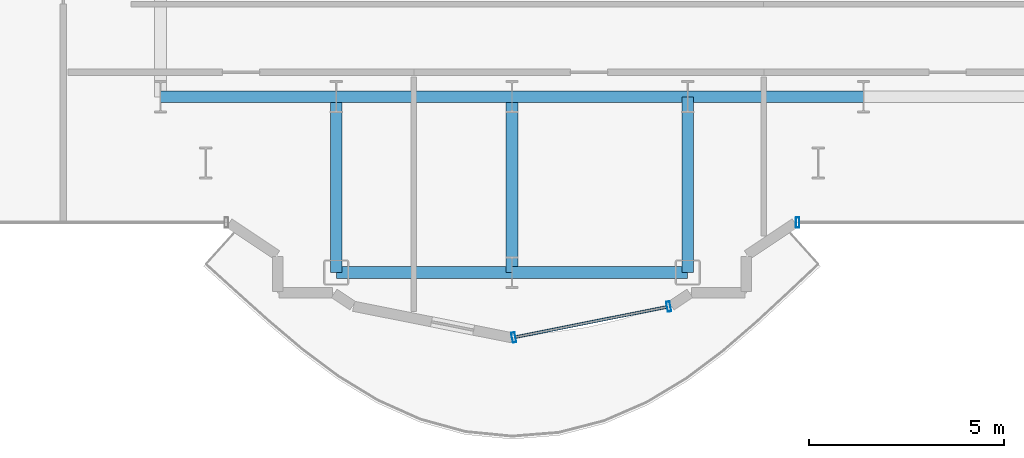
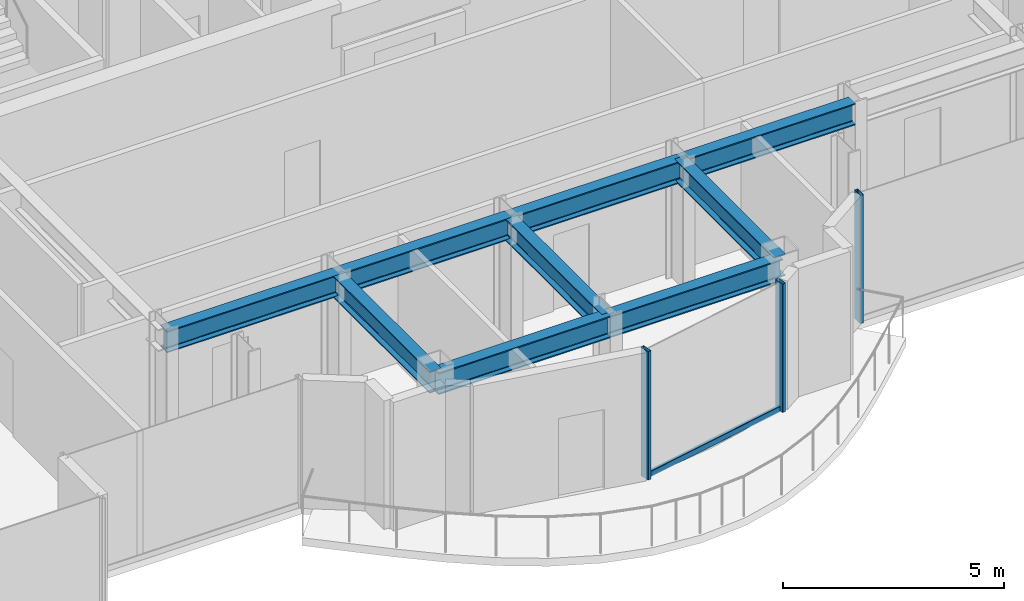
# One storey, part 3 of 20: 9 beams, 4 members, 2 elements without a shape of their own.
"""IFC4 building model written with IfcOpenShell, lengths in metres."""

from ifc_helpers import new_model, si_unit, direction, frame, origin, origin_2d, place, context, subcontext, project, spatial, hollow_rectangle, i_section, extrude, source, transform, mapped, material, layer, layer_set, material_profile, profile_set, type_object, element, aggregate, save


model = new_model("IFC4")

# Units and contexts
model_context = context("Model", 3, precision=1e-05, world=origin(), true_north=direction((0.0, 1.0)))
body_context = subcontext(model_context, "Body", "Model", "MODEL_VIEW")
ifc_project = project(units=[si_unit("LENGTHUNIT", "METRE"), si_unit("AREAUNIT", "SQUARE_METRE"), si_unit("VOLUMEUNIT", "CUBIC_METRE"), si_unit("PLANEANGLEUNIT", "RADIAN"), si_unit("MASSUNIT", "GRAM", prefix="KILO")], contexts=[model_context])

# Site, building, storey
site_placement = place(None, origin())
site = spatial("IfcSite", under=ifc_project, at=site_placement, CompositionType="ELEMENT")
building_placement = place(site_placement, origin())
building = spatial("IfcBuilding", under=site, at=building_placement, Name="Nefas-Gora Pilgrimage Tower", CompositionType="ELEMENT")
storey_placement = place(building_placement, frame((0.0, 0.0, 225.60009765625)))
storey = spatial("IfcBuildingStorey", under=building, at=storey_placement, Name="L56", CompositionType="ELEMENT", Elevation=225.60009765625)

# Beams
ifc_material_1 = material(Name="Steel S355", Category="steel")
ifc_material_profile_1 = material_profile(ifc_material_1, i_section(OverallWidth=0.300048828125, OverallDepth=0.60009765625, WebThickness=0.015380859375, FlangeThickness=0.030029296875, FilletRadius=0.027099609375, at=origin_2d()), Name="HEB 600")
ifc_profile_set_1 = profile_set([ifc_material_profile_1], Name="Steel S355")
beam_type = type_object("IfcBeamType", Name="BM-GIR-HEB600", PredefinedType="BEAM", material=ifc_profile_set_1)
shared_shape_1 = source(origin(), body_context, "Body", "SweptSolid", [
    extrude(i_section(OverallWidth=0.300048828125, OverallDepth=0.60009765625, WebThickness=0.015380859375, FlangeThickness=0.030029296875, FilletRadius=0.027099609375, at=origin_2d()), origin(), (0.0, 0.0, 1.0), 4.5),
])
for number, where, z_axis, x_axis, name in (
    (1, (-11.25, -18.0, 3.25), (1.0, 0.0, 0.0), (0.0, 1.0, 0.0), "L56 G-04 beam"),
    (2, (-6.75, -22.5, 3.25), (0.0, 1.0, 0.0), (-1.0, 0.0, 0.0), "L56 G-04 beam"),
    (3, (-6.75, -22.5, 3.25), (1.0, 0.0, 0.0), (0.0, 1.0, 0.0), "L56 G-04 beam"),
    (4, (-6.75, -18.0, 3.25), (1.0, 0.0, 0.0), (0.0, 1.0, 0.0), "L56 G-04 beam"),
    (5, (-2.25, -22.5, 3.25), (0.0, 1.0, 0.0), (-1.0, 0.0, 0.0), "L56 G-04 beam"),
    (6, (-2.25, -22.5, 3.25), (1.0, 0.0, 0.0), (0.0, 1.0, 0.0), "L56 G-04 beam"),
    (7, (-2.25, -18.0, 3.25), (1.0, 0.0, 0.0), (0.0, 1.0, 0.0), "L56 G-04 beam"),
    (8, (2.25, -22.5, 3.25), (0.0, 1.0, 0.0), (-1.0, 0.0, 0.0), "L56 G-04 beam"),
    (9, (2.25, -18.0, 3.25), (1.0, 0.0, 0.0), (0.0, 1.0, 0.0), "L56 G-04 beam"),
):
    element("IfcBeam", number, at=place(storey_placement, frame(where, z_axis=z_axis, x_axis=x_axis)), inside=storey, type_object=beam_type, Name=name, PredefinedType="BEAM", context=body_context, shape_type="MappedRepresentation", body=[
        mapped(shared_shape_1, transform((0.0, 0.0, 0.0), x_axis=(1.0, 0.0, 0.0), y_axis=(0.0, 1.0, 0.0), z_axis=(0.0, 0.0, 1.0), scale=1.0)),
    ])

# Curtain wall, member
ifc_material_2 = material(Name="Dark ceramic-fritted solar-control aluminium-glass curtain wall", Category="aluminium")
ifc_layer = layer(ifc_material_2, 0.219970703125)
ifc_layer_set = layer_set([ifc_layer], Name="Dark ceramic-fritted solar-control aluminium-glass curtain wall")
curtain_wall_type = type_object("IfcCurtainWallType", Name="CW-SYS-5", PredefinedType="NOTDEFINED", material=ifc_layer_set)
curtain_wall_1_placement = place(storey_placement, origin())
curtain_wall_1 = element("IfcCurtainWall", 10, at=curtain_wall_1_placement, inside=storey, type_object=curtain_wall_type, Name="L56 Unitised Curtain Wall CW5", PredefinedType="NOTDEFINED")
ifc_material_3 = material(Name="Anodised architectural aluminium", Category="aluminium")
ifc_material_profile_2 = material_profile(ifc_material_3, hollow_rectangle(XDim=0.080078125, YDim=0.159912109375, WallThickness=0.00439453125, InnerFilletRadius=0.00439453125, OuterFilletRadius=0.009033203125, at=origin_2d()), Name="ALU TRANSOM 80x160")
ifc_profile_set_2 = profile_set([ifc_material_profile_2], Name="Anodised architectural aluminium")
member_type_1 = type_object("IfcMemberType", Name="CWM-TRN-5", PredefinedType="USERDEFINED", material=ifc_profile_set_2)
shared_shape_2 = source(origin(), body_context, "Body", "SweptSolid", [
    extrude(hollow_rectangle(XDim=0.080078125, YDim=0.159912109375, WallThickness=0.00439453125, InnerFilletRadius=0.00439453125, OuterFilletRadius=0.009033203125, at=origin_2d()), origin(), (0.0, 0.0, 1.0), 3.95654296875),
])
member_1_placement = place(storey_placement, frame((-2.16162109375, -24.15478515625, 0.0498046875), z_axis=(0.980781880918, 0.195107411605, 0.0), x_axis=(-0.195107411605, 0.980781880918, 0.0)))
member_1 = element("IfcMember", 11, at=member_1_placement, type_object=member_type_1, Name="CW5 Spandrel Transom", ObjectType="TRANSOM", PredefinedType="USERDEFINED", context=body_context, shape_type="MappedRepresentation", body=[
    mapped(shared_shape_2, transform((0.0, 0.0, 0.0), x_axis=(1.0, 0.0, 0.0), y_axis=(0.0, 1.0, 0.0), z_axis=(0.0, 0.0, 1.0), scale=1.0)),
])

curtain_wall_2_placement = place(storey_placement, origin())
curtain_wall_2 = element("IfcCurtainWall", 12, at=curtain_wall_2_placement, inside=storey, type_object=curtain_wall_type, Name="L56 Unitised Curtain Wall CW5", PredefinedType="NOTDEFINED")
ifc_material_profile_3 = material_profile(ifc_material_3, hollow_rectangle(XDim=0.090087890625, YDim=0.260009765625, WallThickness=0.006103515625, InnerFilletRadius=0.006103515625, OuterFilletRadius=0.011962890625, at=origin_2d()), Name="ALU MULLION 90x260")
ifc_profile_set_3 = profile_set([ifc_material_profile_3], Name="Anodised architectural aluminium")
member_type_2 = type_object("IfcMemberType", Name="CWM-MUL-5", PredefinedType="MULLION", material=ifc_profile_set_3)
shared_shape_3 = source(origin(), body_context, "Body", "SweptSolid", [
    extrude(hollow_rectangle(XDim=0.090087890625, YDim=0.260009765625, WallThickness=0.006103515625, InnerFilletRadius=0.006103515625, OuterFilletRadius=0.011962890625, at=origin_2d()), origin(), (0.0, 0.0, 1.0), 3.5498046875),
])
member_2_placement = place(storey_placement, frame((5.06298828125, -21.219970703125, 0.0), z_axis=(0.0, 0.0, 1.0), x_axis=(1.0, 0.0, 0.0)))
member_2 = element("IfcMember", 13, at=member_2_placement, type_object=member_type_2, Name="CW5 Mullion 1", PredefinedType="MULLION", context=body_context, shape_type="MappedRepresentation", body=[
    mapped(shared_shape_3, transform((0.0, 0.0, 0.0), x_axis=(1.0, 0.0, 0.0), y_axis=(0.0, 1.0, 0.0), z_axis=(0.0, 0.0, 1.0), scale=1.0)),
])
aggregate(curtain_wall_2, [member_2])

# Member
member_3_placement = place(storey_placement, frame((-2.205810546875, -24.16357421875, 0.0), z_axis=(0.0, 0.0, 1.0), x_axis=(0.980782896852, 0.195102304554, 0.0)))
member_3 = element("IfcMember", 14, at=member_3_placement, type_object=member_type_2, Name="CW5 Mullion 1", PredefinedType="MULLION", context=body_context, shape_type="MappedRepresentation", body=[
    mapped(shared_shape_3, transform((0.0, 0.0, 0.0), x_axis=(1.0, 0.0, 0.0), y_axis=(0.0, 1.0, 0.0), z_axis=(0.0, 0.0, 1.0), scale=1.0)),
])

member_4_placement = place(storey_placement, frame((1.76318359375, -23.3740234375, 0.0), z_axis=(0.0, 0.0, 1.0), x_axis=(0.980782896852, 0.195102304554, 0.0)))
member_4 = element("IfcMember", 15, at=member_4_placement, type_object=member_type_2, Name="CW5 Mullion 2", PredefinedType="MULLION", context=body_context, shape_type="MappedRepresentation", body=[
    mapped(shared_shape_3, transform((0.0, 0.0, 0.0), x_axis=(1.0, 0.0, 0.0), y_axis=(0.0, 1.0, 0.0), z_axis=(0.0, 0.0, 1.0), scale=1.0)),
])

aggregate(curtain_wall_1, [member_3, member_4, member_1])

save(model, "model.ifc")
